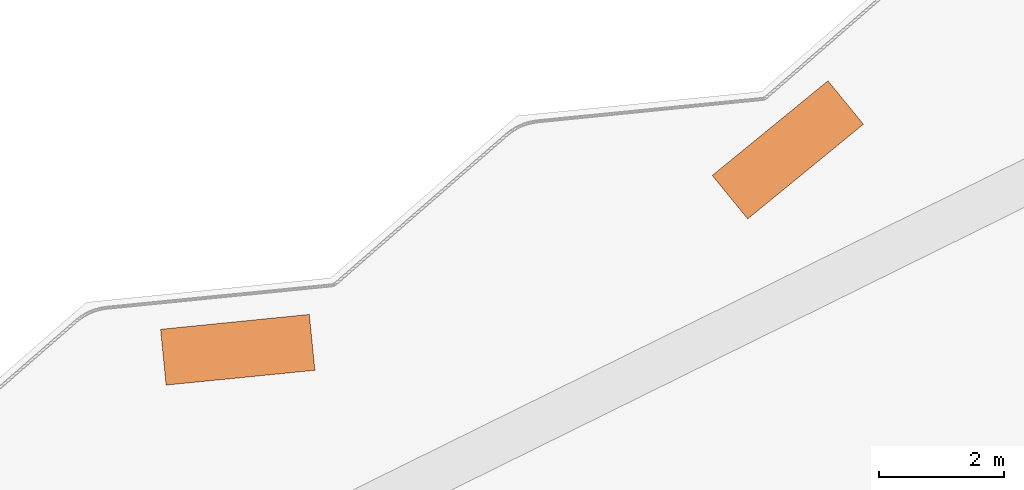
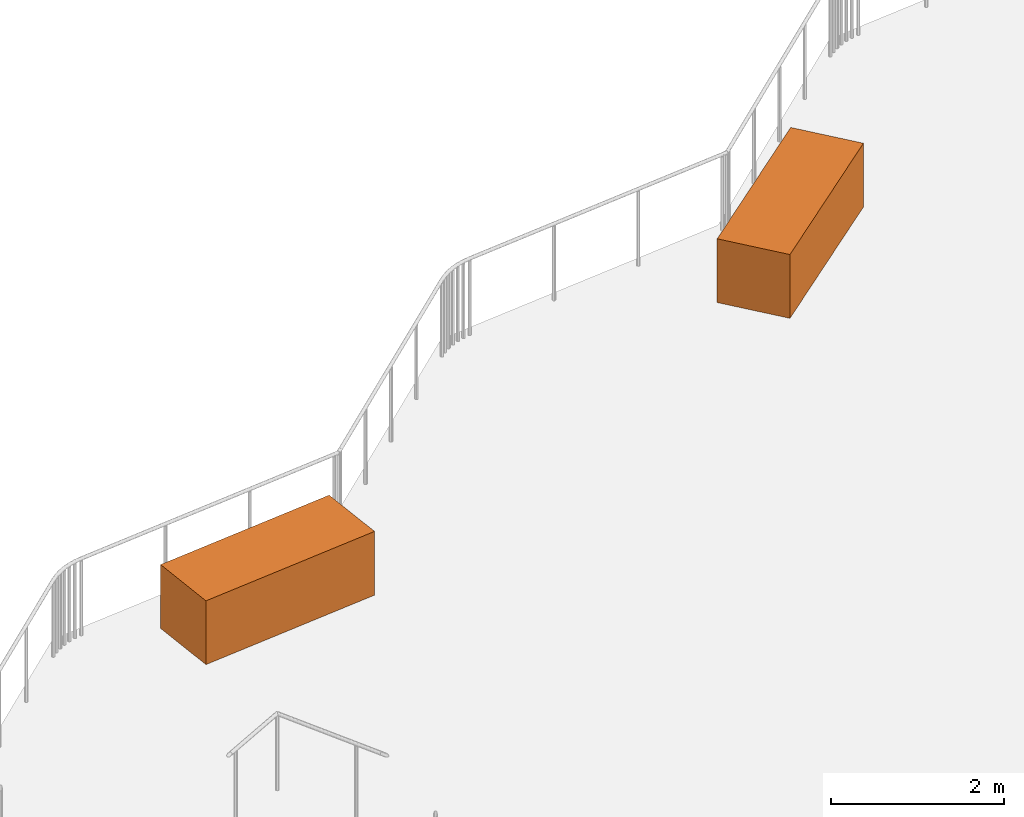
# One storey, part 31 of 31: 2 proxies.
"""IFC4 building model written with IfcOpenShell, lengths in metres."""

from ifc_helpers import new_model, si_unit, direction, frame, origin, origin_2d, place, context, subcontext, project, spatial, rectangle, extrude, material, type_object, element, save


model = new_model("IFC4")

# Units and contexts
model_context = context("Model", 3, precision=1e-05, world=origin(), true_north=direction((0.0, 1.0)))
body_context = subcontext(model_context, "Body", "Model", "MODEL_VIEW")
ifc_project = project(units=[si_unit("LENGTHUNIT", "METRE"), si_unit("AREAUNIT", "SQUARE_METRE"), si_unit("VOLUMEUNIT", "CUBIC_METRE"), si_unit("PLANEANGLEUNIT", "RADIAN"), si_unit("MASSUNIT", "GRAM", prefix="KILO")], contexts=[model_context])

# Site, building, storey
site_placement = place(None, origin())
site = spatial("IfcSite", under=ifc_project, at=site_placement, CompositionType="ELEMENT")
building_placement = place(site_placement, origin())
building = spatial("IfcBuilding", under=site, at=building_placement, Name="Qamariyya Broadcast Tower", CompositionType="ELEMENT")
storey_placement = place(building_placement, frame((0.0, 0.0, 149.300048828125)))
storey = spatial("IfcBuildingStorey", under=building, at=storey_placement, Name="L34", CompositionType="ELEMENT", Elevation=149.300048828125)

# Proxies
ifc_material = material(Name="Glazed terracotta", Category="masonry")
building_element_proxy_type = type_object("IfcBuildingElementProxyType", Name="Terracotta planter with saturated soil", PredefinedType="USERDEFINED", material=ifc_material)
for number, where, z_axis, x_axis, name in (
    (1, (-67.355712890625, -29.6640625, 0.0), (0.0, 0.0, 1.0), (0.995064970438, 0.099225523967, 0.0), "e-pl-L34-t2-00"),
    (2, (-58.524169921875, -26.454345703125, 0.0), (0.0, 0.0, 1.0), (0.774059322756, 0.633113074304, 0.0), "e-pl-L34-t2-01"),
):
    element("IfcBuildingElementProxy", number, at=place(storey_placement, frame(where, z_axis=z_axis, x_axis=x_axis)), inside=storey, type_object=building_element_proxy_type, Name=name, ObjectType="PLANTER", PredefinedType="USERDEFINED", context=body_context, shape_type="SweptSolid", body=[
        extrude(rectangle(XDim=2.39990234375, YDim=0.89990234375, at=origin_2d()), origin(), (0.0, 0.0, 1.0), 0.89990234375),
    ])

save(model, "model.ifc")
